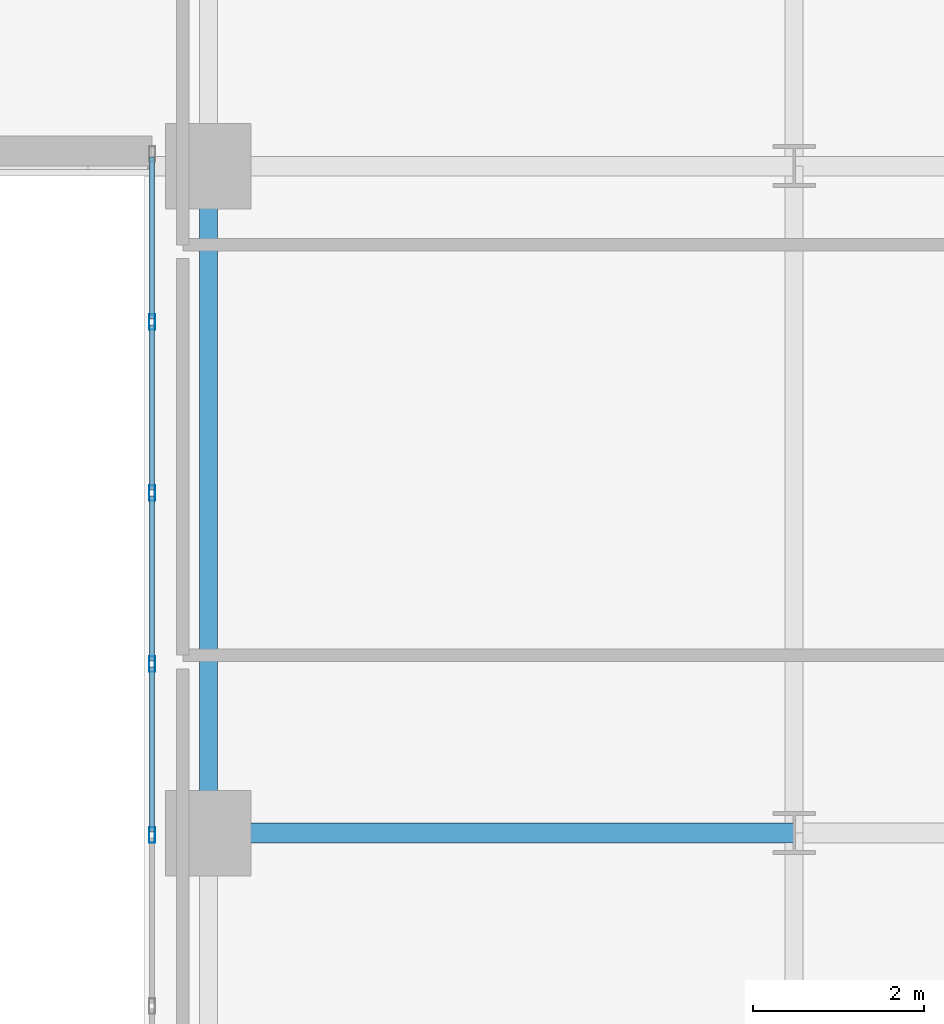
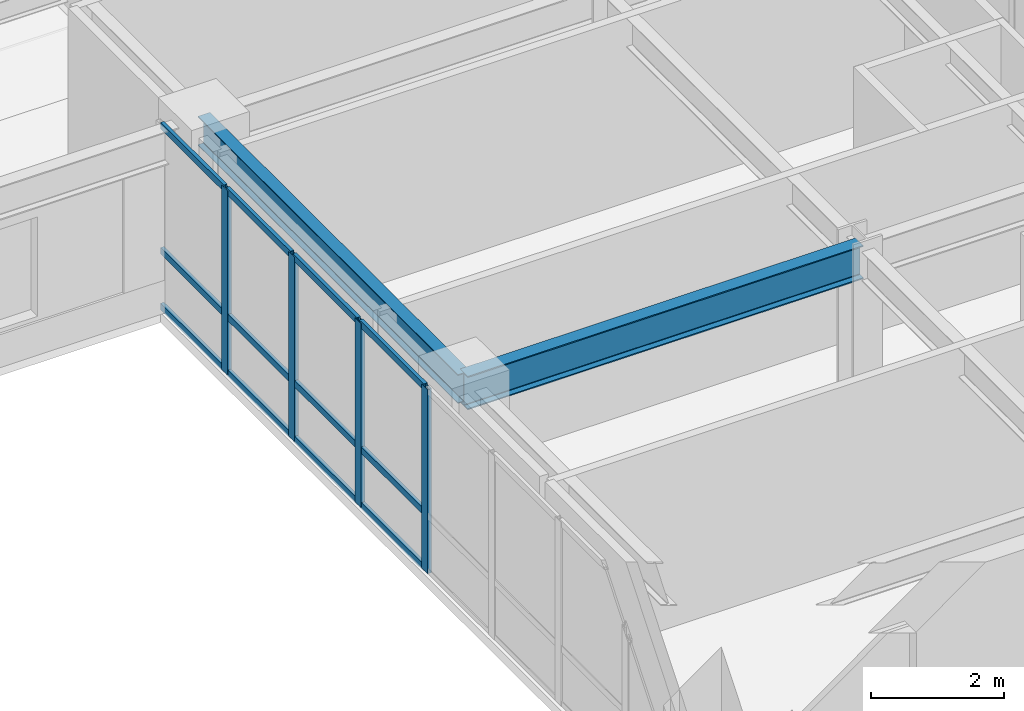
# One storey, part 9 of 25: 16 members, 2 beams, 1 element without a shape of its own.
"""IFC4 building model written with IfcOpenShell, lengths in metres."""

from ifc_helpers import new_model, si_unit, direction, frame, origin, origin_2d, place, context, subcontext, project, spatial, hollow_rectangle, i_section, extrude, source, transform, mapped, material, layer, layer_set, material_profile, profile_set, type_object, type_shapes, element, aggregate, save


model = new_model("IFC4")

# Units and contexts
model_context = context("Model", 3, precision=1e-05, world=origin(), true_north=direction((0.0, 1.0)))
body_context = subcontext(model_context, "Body", "Model", "MODEL_VIEW")
ifc_project = project(units=[si_unit("LENGTHUNIT", "METRE"), si_unit("AREAUNIT", "SQUARE_METRE"), si_unit("VOLUMEUNIT", "CUBIC_METRE"), si_unit("PLANEANGLEUNIT", "RADIAN"), si_unit("MASSUNIT", "GRAM", prefix="KILO")], contexts=[model_context])

# Site, building, storey
site_placement = place(None, origin())
site = spatial("IfcSite", under=ifc_project, at=site_placement, CompositionType="ELEMENT")
building_placement = place(site_placement, origin())
building = spatial("IfcBuilding", under=site, at=building_placement, Name="Tolvann Quenvar Hotel", CompositionType="ELEMENT")
storey_placement = place(building_placement, frame((0.0, 0.0, 46.199951171875)))
storey = spatial("IfcBuildingStorey", under=building, at=storey_placement, Name="L10", CompositionType="ELEMENT", Elevation=46.199951171875)

# Beams
ifc_material_1 = material(Name="Steel Grade 350", Category="steel")
ifc_material_profile_1 = material_profile(ifc_material_1, i_section(OverallWidth=0.22900390625, OverallDepth=0.612060546875, WebThickness=0.011962890625, FlangeThickness=0.01953125, FilletRadius=0.013916015625, at=origin_2d()), Name="610UB125")
ifc_profile_set_1 = profile_set([ifc_material_profile_1], Name="Steel Grade 350")
beam_type_1 = type_object("IfcBeamType", Name="BM_GIRD_610UB125", PredefinedType="BEAM", material=ifc_profile_set_1)
shared_shape_1 = source(origin(), body_context, "Body", "SweptSolid", [
    extrude(i_section(OverallWidth=0.22900390625, OverallDepth=0.612060546875, WebThickness=0.011962890625, FlangeThickness=0.01953125, FilletRadius=0.013916015625, at=origin_2d()), origin(), (0.0, 0.0, 1.0), 6.85009765625),
])
type_shapes(beam_type_1, [shared_shape_1])
beam_1_placement = place(storey_placement, frame((34.949951171875, 8.199951171875, 3.06396484375), z_axis=(1.0, 0.0, 0.0), x_axis=(0.0, 1.0, 0.0)))
element("IfcBeam", 1, at=beam_1_placement, inside=storey, type_object=beam_type_1, Name="BM-L10-EW-3-F3-H3", PredefinedType="BEAM", context=body_context, shape_type="MappedRepresentation", body=[
    mapped(shared_shape_1, transform((0.0, 0.0, 0.0), x_axis=(1.0, 0.0, 0.0), y_axis=(0.0, 1.0, 0.0), z_axis=(0.0, 0.0, 1.0), scale=1.0)),
])
ifc_material_profile_2 = material_profile(ifc_material_1, i_section(OverallWidth=0.208984375, OverallDepth=0.532958984375, WebThickness=0.01025390625, FlangeThickness=0.015625, FilletRadius=0.013916015625, at=origin_2d()), Name="530UB92")
ifc_profile_set_2 = profile_set([ifc_material_profile_2], Name="Steel Grade 350")
beam_type_2 = type_object("IfcBeamType", Name="BM_GIRD_530UB92", PredefinedType="BEAM", material=ifc_profile_set_2)
shared_shape_2 = source(origin(), body_context, "Body", "SweptSolid", [
    extrude(i_section(OverallWidth=0.208984375, OverallDepth=0.532958984375, WebThickness=0.01025390625, FlangeThickness=0.015625, FilletRadius=0.013916015625, at=origin_2d()), origin(), (0.0, 0.0, 1.0), 7.800048828125),
])
type_shapes(beam_type_2, [shared_shape_2])
beam_2_placement = place(storey_placement, frame((34.949951171875, 8.199951171875, 3.103515625), z_axis=(0.0, 1.0, 0.0), x_axis=(-1.0, 0.0, 0.0)))
element("IfcBeam", 2, at=beam_2_placement, inside=storey, type_object=beam_type_2, Name="BM-L10-NS-F3-F4", PredefinedType="BEAM", context=body_context, shape_type="MappedRepresentation", body=[
    mapped(shared_shape_2, transform((0.0, 0.0, 0.0), x_axis=(1.0, 0.0, 0.0), y_axis=(0.0, 1.0, 0.0), z_axis=(0.0, 0.0, 1.0), scale=1.0)),
])

# Curtain wall, members
ifc_material_2 = material(Name="Thermally broken anodised architectural aluminium 6063-T6 and laminated low-E glass", Category="aluminium")
ifc_layer = layer(ifc_material_2, 0.179931640625)
ifc_layer_set = layer_set([ifc_layer], Name="Thermally broken anodised architectural aluminium 6063-T6 and laminated low-E glass")
curtain_wall_type = type_object("IfcCurtainWallType", Name="CW_SYS_SLOT_03", PredefinedType="USERDEFINED", material=ifc_layer_set)
curtain_wall_placement = place(storey_placement, origin())
curtain_wall = element("IfcCurtainWall", 3, at=curtain_wall_placement, inside=storey, type_object=curtain_wall_type, Name="Curtain Wall CW-SLOT-03 (CWR-L10-E07)", ObjectType="UNITISED CURTAIN WALL", PredefinedType="USERDEFINED")
ifc_material_3 = material(Name="Anodised architectural aluminium 6063-T6 framing", Category="aluminium")
ifc_material_profile_3 = material_profile(ifc_material_3, hollow_rectangle(XDim=0.070068359375, YDim=0.179931640625, WallThickness=0.00390625, at=origin_2d()), Name="180x70x4RHS")
ifc_profile_set_3 = profile_set([ifc_material_profile_3], Name="Anodised architectural aluminium 6063-T6 framing")
member_type_1 = type_object("IfcMemberType", Name="CW_MULL_180x70", PredefinedType="MULLION", material=ifc_profile_set_3)
shared_shape_3 = source(origin(), body_context, "Body", "SweptSolid", [
    extrude(hollow_rectangle(XDim=0.070068359375, YDim=0.179931640625, WallThickness=0.00390625, at=origin_2d()), origin(), (0.0, 0.0, 1.0), 3.3701171875),
])
type_shapes(member_type_1, [shared_shape_3])
member_1_placement = place(storey_placement, frame((34.2900390625, 14.175048828125, 0.0), z_axis=(0.0, 0.0, 1.0), x_axis=(1.0, 0.0, 0.0)))
member_1 = element("IfcMember", 4, at=member_1_placement, type_object=member_type_1, Name="CW-SLOT-03 mullion 2", PredefinedType="MULLION", context=body_context, shape_type="MappedRepresentation", body=[
    mapped(shared_shape_3, transform((0.0, 0.0, 0.0), x_axis=(1.0, 0.0, 0.0), y_axis=(0.0, 1.0, 0.0), z_axis=(0.0, 0.0, 1.0), scale=1.0)),
])
member_2_placement = place(storey_placement, frame((34.2900390625, 12.175048828125, 0.0), z_axis=(0.0, 0.0, 1.0), x_axis=(1.0, 0.0, 0.0)))
member_2 = element("IfcMember", 5, at=member_2_placement, type_object=member_type_1, Name="CW-SLOT-03 mullion 3", PredefinedType="MULLION", context=body_context, shape_type="MappedRepresentation", body=[
    mapped(shared_shape_3, transform((0.0, 0.0, 0.0), x_axis=(1.0, 0.0, 0.0), y_axis=(0.0, 1.0, 0.0), z_axis=(0.0, 0.0, 1.0), scale=1.0)),
])
member_3_placement = place(storey_placement, frame((34.2900390625, 10.175048828125, 0.0), z_axis=(0.0, 0.0, 1.0), x_axis=(1.0, 0.0, 0.0)))
member_3 = element("IfcMember", 6, at=member_3_placement, type_object=member_type_1, Name="CW-SLOT-03 mullion 4", PredefinedType="MULLION", context=body_context, shape_type="MappedRepresentation", body=[
    mapped(shared_shape_3, transform((0.0, 0.0, 0.0), x_axis=(1.0, 0.0, 0.0), y_axis=(0.0, 1.0, 0.0), z_axis=(0.0, 0.0, 1.0), scale=1.0)),
])
member_4_placement = place(storey_placement, frame((34.2900390625, 8.175048828125, 0.0), z_axis=(0.0, 0.0, 1.0), x_axis=(1.0, 0.0, 0.0)))
member_4 = element("IfcMember", 7, at=member_4_placement, type_object=member_type_1, Name="CW-SLOT-03 mullion 5", PredefinedType="MULLION", context=body_context, shape_type="MappedRepresentation", body=[
    mapped(shared_shape_3, transform((0.0, 0.0, 0.0), x_axis=(1.0, 0.0, 0.0), y_axis=(0.0, 1.0, 0.0), z_axis=(0.0, 0.0, 1.0), scale=1.0)),
])
ifc_material_profile_4 = material_profile(ifc_material_3, hollow_rectangle(XDim=0.06005859375, YDim=0.1201171875, WallThickness=0.00341796875, at=origin_2d()), Name="120x60x3.5RHS")
ifc_profile_set_4 = profile_set([ifc_material_profile_4], Name="Anodised architectural aluminium 6063-T6 framing")
member_type_2 = type_object("IfcMemberType", Name="CW_TRAN_120x60", PredefinedType="USERDEFINED", material=ifc_profile_set_4)
shared_shape_4 = source(origin(), body_context, "Body", "SweptSolid", [
    extrude(hollow_rectangle(XDim=0.06005859375, YDim=0.1201171875, WallThickness=0.00341796875, at=origin_2d()), origin(), (0.0, 0.0, 1.0), 1.929931640625),
])
member_5_placement = place(storey_placement, frame((34.2900390625, 14.139892578125, 0.030029296875), z_axis=(0.0, -1.0, 0.0), x_axis=(1.0, 0.0, 0.0)))
member_5 = element("IfcMember", 8, at=member_5_placement, type_object=member_type_2, Name="CW-SLOT-03 transom 2.1", ObjectType="TRANSOM", PredefinedType="USERDEFINED", context=body_context, shape_type="MappedRepresentation", body=[
    mapped(shared_shape_4, transform((0.0, 0.0, 0.0), x_axis=(1.0, 0.0, 0.0), y_axis=(0.0, 1.0, 0.0), z_axis=(0.0, 0.0, 1.0), scale=1.0)),
])
member_6_placement = place(storey_placement, frame((34.2900390625, 14.139892578125, 1.050048828125), z_axis=(0.0, -1.0, 0.0), x_axis=(1.0, 0.0, 0.0)))
member_6 = element("IfcMember", 9, at=member_6_placement, type_object=member_type_2, Name="CW-SLOT-03 transom 2.2", ObjectType="TRANSOM", PredefinedType="USERDEFINED", context=body_context, shape_type="MappedRepresentation", body=[
    mapped(shared_shape_4, transform((0.0, 0.0, 0.0), x_axis=(1.0, 0.0, 0.0), y_axis=(0.0, 1.0, 0.0), z_axis=(0.0, 0.0, 1.0), scale=1.0)),
])
member_7_placement = place(storey_placement, frame((34.2900390625, 14.139892578125, 3.340087890625), z_axis=(0.0, -1.0, 0.0), x_axis=(1.0, 0.0, 0.0)))
member_7 = element("IfcMember", 10, at=member_7_placement, type_object=member_type_2, Name="CW-SLOT-03 transom 2.3", ObjectType="TRANSOM", PredefinedType="USERDEFINED", context=body_context, shape_type="MappedRepresentation", body=[
    mapped(shared_shape_4, transform((0.0, 0.0, 0.0), x_axis=(1.0, 0.0, 0.0), y_axis=(0.0, 1.0, 0.0), z_axis=(0.0, 0.0, 1.0), scale=1.0)),
])
member_8_placement = place(storey_placement, frame((34.2900390625, 12.139892578125, 0.030029296875), z_axis=(0.0, -1.0, 0.0), x_axis=(1.0, 0.0, 0.0)))
member_8 = element("IfcMember", 11, at=member_8_placement, type_object=member_type_2, Name="CW-SLOT-03 transom 3.1", ObjectType="TRANSOM", PredefinedType="USERDEFINED", context=body_context, shape_type="MappedRepresentation", body=[
    mapped(shared_shape_4, transform((0.0, 0.0, 0.0), x_axis=(1.0, 0.0, 0.0), y_axis=(0.0, 1.0, 0.0), z_axis=(0.0, 0.0, 1.0), scale=1.0)),
])
member_9_placement = place(storey_placement, frame((34.2900390625, 12.139892578125, 1.050048828125), z_axis=(0.0, -1.0, 0.0), x_axis=(1.0, 0.0, 0.0)))
member_9 = element("IfcMember", 12, at=member_9_placement, type_object=member_type_2, Name="CW-SLOT-03 transom 3.2", ObjectType="TRANSOM", PredefinedType="USERDEFINED", context=body_context, shape_type="MappedRepresentation", body=[
    mapped(shared_shape_4, transform((0.0, 0.0, 0.0), x_axis=(1.0, 0.0, 0.0), y_axis=(0.0, 1.0, 0.0), z_axis=(0.0, 0.0, 1.0), scale=1.0)),
])
member_10_placement = place(storey_placement, frame((34.2900390625, 12.139892578125, 3.340087890625), z_axis=(0.0, -1.0, 0.0), x_axis=(1.0, 0.0, 0.0)))
member_10 = element("IfcMember", 13, at=member_10_placement, type_object=member_type_2, Name="CW-SLOT-03 transom 3.3", ObjectType="TRANSOM", PredefinedType="USERDEFINED", context=body_context, shape_type="MappedRepresentation", body=[
    mapped(shared_shape_4, transform((0.0, 0.0, 0.0), x_axis=(1.0, 0.0, 0.0), y_axis=(0.0, 1.0, 0.0), z_axis=(0.0, 0.0, 1.0), scale=1.0)),
])
member_11_placement = place(storey_placement, frame((34.2900390625, 10.139892578125, 0.030029296875), z_axis=(0.0, -1.0, 0.0), x_axis=(1.0, 0.0, 0.0)))
member_11 = element("IfcMember", 14, at=member_11_placement, type_object=member_type_2, Name="CW-SLOT-03 transom 4.1", ObjectType="TRANSOM", PredefinedType="USERDEFINED", context=body_context, shape_type="MappedRepresentation", body=[
    mapped(shared_shape_4, transform((0.0, 0.0, 0.0), x_axis=(1.0, 0.0, 0.0), y_axis=(0.0, 1.0, 0.0), z_axis=(0.0, 0.0, 1.0), scale=1.0)),
])
member_12_placement = place(storey_placement, frame((34.2900390625, 10.139892578125, 1.050048828125), z_axis=(0.0, -1.0, 0.0), x_axis=(1.0, 0.0, 0.0)))
member_12 = element("IfcMember", 15, at=member_12_placement, type_object=member_type_2, Name="CW-SLOT-03 transom 4.2", ObjectType="TRANSOM", PredefinedType="USERDEFINED", context=body_context, shape_type="MappedRepresentation", body=[
    mapped(shared_shape_4, transform((0.0, 0.0, 0.0), x_axis=(1.0, 0.0, 0.0), y_axis=(0.0, 1.0, 0.0), z_axis=(0.0, 0.0, 1.0), scale=1.0)),
])
member_13_placement = place(storey_placement, frame((34.2900390625, 10.139892578125, 3.340087890625), z_axis=(0.0, -1.0, 0.0), x_axis=(1.0, 0.0, 0.0)))
member_13 = element("IfcMember", 16, at=member_13_placement, type_object=member_type_2, Name="CW-SLOT-03 transom 4.3", ObjectType="TRANSOM", PredefinedType="USERDEFINED", context=body_context, shape_type="MappedRepresentation", body=[
    mapped(shared_shape_4, transform((0.0, 0.0, 0.0), x_axis=(1.0, 0.0, 0.0), y_axis=(0.0, 1.0, 0.0), z_axis=(0.0, 0.0, 1.0), scale=1.0)),
])
shared_shape_5 = source(origin(), body_context, "Body", "SweptSolid", [
    extrude(hollow_rectangle(XDim=0.06005859375, YDim=0.1201171875, WallThickness=0.00341796875, at=origin_2d()), origin(), (0.0, 0.0, 1.0), 1.89501953125),
])
type_shapes(member_type_2, [shared_shape_4, shared_shape_5])
member_14_placement = place(storey_placement, frame((34.2900390625, 16.10498046875, 0.030029296875), z_axis=(0.0, -1.0, 0.0), x_axis=(1.0, 0.0, 0.0)))
member_14 = element("IfcMember", 17, at=member_14_placement, type_object=member_type_2, Name="CW-SLOT-03 transom 1.1", ObjectType="TRANSOM", PredefinedType="USERDEFINED", context=body_context, shape_type="MappedRepresentation", body=[
    mapped(shared_shape_5, transform((0.0, 0.0, 0.0), x_axis=(1.0, 0.0, 0.0), y_axis=(0.0, 1.0, 0.0), z_axis=(0.0, 0.0, 1.0), scale=1.0)),
])
member_15_placement = place(storey_placement, frame((34.2900390625, 16.10498046875, 1.050048828125), z_axis=(0.0, -1.0, 0.0), x_axis=(1.0, 0.0, 0.0)))
member_15 = element("IfcMember", 18, at=member_15_placement, type_object=member_type_2, Name="CW-SLOT-03 transom 1.2", ObjectType="TRANSOM", PredefinedType="USERDEFINED", context=body_context, shape_type="MappedRepresentation", body=[
    mapped(shared_shape_5, transform((0.0, 0.0, 0.0), x_axis=(1.0, 0.0, 0.0), y_axis=(0.0, 1.0, 0.0), z_axis=(0.0, 0.0, 1.0), scale=1.0)),
])
member_16_placement = place(storey_placement, frame((34.2900390625, 16.10498046875, 3.340087890625), z_axis=(0.0, -1.0, 0.0), x_axis=(1.0, 0.0, 0.0)))
member_16 = element("IfcMember", 19, at=member_16_placement, type_object=member_type_2, Name="CW-SLOT-03 transom 1.3", ObjectType="TRANSOM", PredefinedType="USERDEFINED", context=body_context, shape_type="MappedRepresentation", body=[
    mapped(shared_shape_5, transform((0.0, 0.0, 0.0), x_axis=(1.0, 0.0, 0.0), y_axis=(0.0, 1.0, 0.0), z_axis=(0.0, 0.0, 1.0), scale=1.0)),
])
aggregate(curtain_wall, [member_1, member_2, member_3, member_4, member_14, member_15, member_16, member_5, member_6, member_7, member_8, member_9, member_10, member_11, member_12, member_13])

save(model, "model.ifc")
